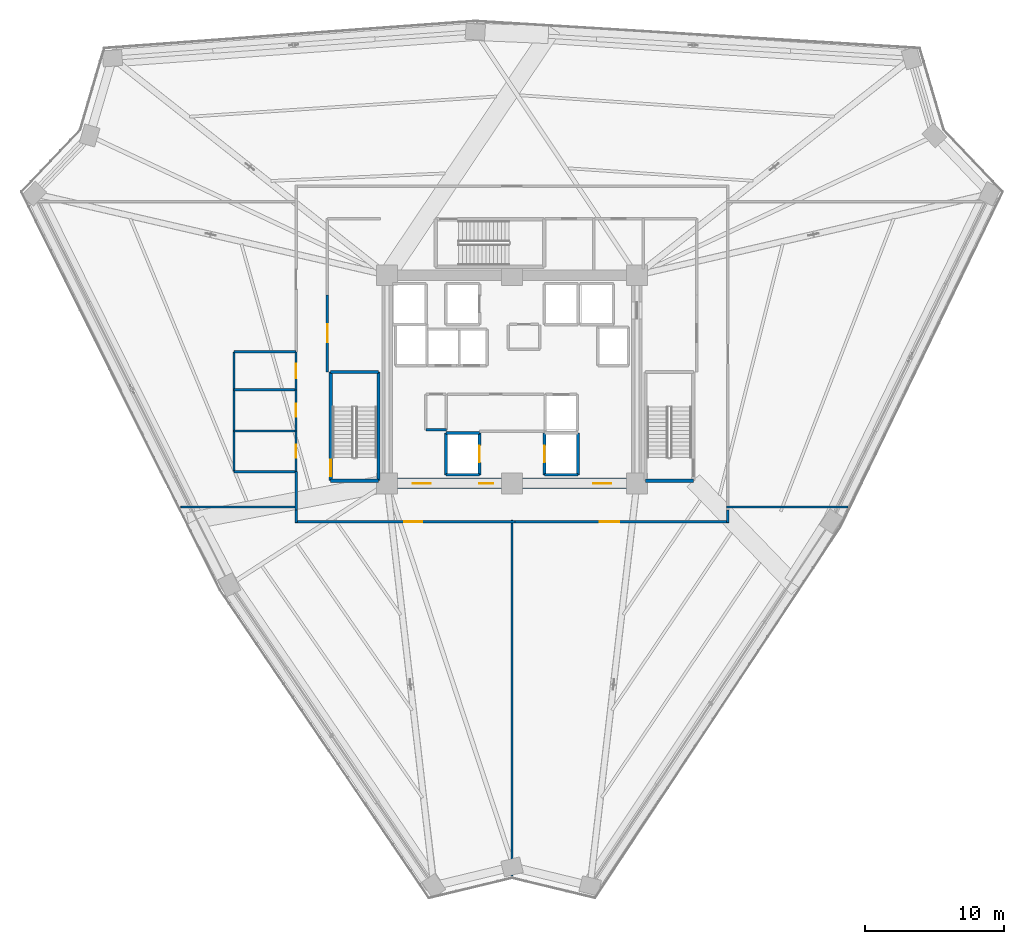
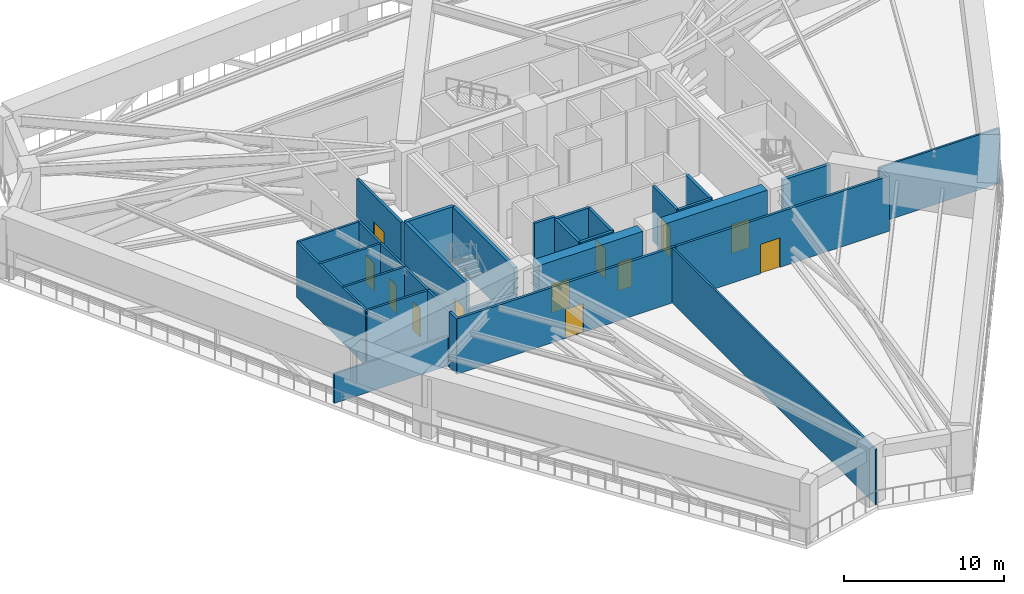
# One storey, part 16 of 27: 32 walls, 12 doors, 12 openings.
"""IFC4 building model written with IfcOpenShell, lengths in metres."""

from ifc_helpers import new_model, si_unit, direction, frame, frame_2d, origin, place, context, subcontext, project, spatial, rectangle, extrude, source, transform, mapped, material, layer, layer_set, type_object, element, fill, save


model = new_model("IFC4")

# Units and contexts
model_context = context("Model", 3, precision=1e-05, world=origin(), true_north=direction((0.0, 1.0)))
body_context = subcontext(model_context, "Body", "Model", "MODEL_VIEW")
ifc_project = project(units=[si_unit("LENGTHUNIT", "METRE"), si_unit("AREAUNIT", "SQUARE_METRE"), si_unit("VOLUMEUNIT", "CUBIC_METRE"), si_unit("PLANEANGLEUNIT", "RADIAN"), si_unit("MASSUNIT", "GRAM", prefix="KILO")], contexts=[model_context])

# Site, building, storey
site_placement = place(None, origin())
site = spatial("IfcSite", under=ifc_project, at=site_placement, CompositionType="ELEMENT")
building_placement = place(site_placement, origin())
building = spatial("IfcBuilding", under=site, at=building_placement, Name="Liaohun Quay Tower", CompositionType="ELEMENT")
storey_placement = place(building_placement, frame((0.0, 0.0, 185.25)))
storey = spatial("IfcBuildingStorey", under=building, at=storey_placement, Name="L48", CompositionType="ELEMENT", Elevation=185.25)

# Wall, opening, door
ifc_material_1 = material(Name="Concrete C60", Category="concrete")
ifc_layer_1 = layer(ifc_material_1, 0.75, Name="Concrete C60", Category="concrete")
ifc_layer_set_1 = layer_set([ifc_layer_1], Name="Concrete C60")
wall_type_1 = type_object("IfcWallType", Name="WAL-COR-Z2", PredefinedType="SHEAR", material=ifc_layer_set_1)
wall_1_placement = place(storey_placement, frame((68.25, 46.5, 0.0), z_axis=(0.0, 0.0, 1.0), x_axis=(-1.0, 0.0, 0.0)))
wall_1 = element("IfcWall", 1, at=wall_1_placement, inside=storey, type_object=wall_type_1, Name="L48 Central Core Shear Wall S-E", PredefinedType="SHEAR", context=body_context, shape_type="SweptSolid", body=[
    extrude(rectangle(XDim=7.5, YDim=0.75, at=frame_2d((3.75, 0.0))), origin(), (0.0, 0.0, 1.0), 4.219970703125),
])
shared_shape_1 = source(origin(), body_context, "Body", "SweptSolid", [
    extrude(rectangle(XDim=1.300048828125, YDim=2.199951171875, at=frame_2d((0.64990234375, 1.10009765625))), frame((0.0, 0.385009765625, 0.0), z_axis=(0.0, -1.0, 0.0), x_axis=(1.0, 0.0, 0.0)), (0.0, 0.0, 1.0), 0.77001953125),
])
opening_1_placement = place(wall_1_placement, frame((1.10009765625, 0.0, 0.0)))
opening_1 = element("IfcOpeningElement", 2, at=opening_1_placement, cuts=wall_1, Name="Opening FD1", PredefinedType="OPENING", context=body_context, shape_type="MappedRepresentation", body=[
    mapped(shared_shape_1, transform((0.0, 0.0, 0.0), x_axis=(1.0, 0.0, 0.0), y_axis=(0.0, 1.0, 0.0), z_axis=(0.0, 0.0, 1.0), scale=1.0)),
])
ifc_material_2 = material(Name="Galvanised steel smokeproof fire door", Category="steel")
door_type_1 = type_object("IfcDoorType", Name="DOR-FFL-1300", OperationType="NOTDEFINED", PredefinedType="DOOR", material=ifc_material_2)
shared_shape_2 = source(origin(), body_context, "Body", "SweptSolid", [
    extrude(rectangle(XDim=1.300048828125, YDim=2.199951171875, at=frame_2d((0.64990234375, 1.10009765625))), frame((0.0, 0.02490234375, 0.0), z_axis=(0.0, -1.0, 0.0), x_axis=(1.0, 0.0, 0.0)), (0.0, 0.0, 1.0), 0.050048828125),
])
door_1_placement = place(opening_1_placement, origin())
door_1 = element("IfcDoor", 3, at=door_1_placement, inside=storey, type_object=door_type_1, Name="L48 East Core Lift Lobby Smokeproof Door", OperationType="SINGLE_SWING_LEFT", OverallHeight=2.199951171875, OverallWidth=1.300048828125, PredefinedType="DOOR", context=body_context, shape_type="MappedRepresentation", body=[
    mapped(shared_shape_2, transform((0.0, 0.0, 0.0), x_axis=(1.0, 0.0, 0.0), y_axis=(0.0, 1.0, 0.0), z_axis=(0.0, 0.0, 1.0), scale=1.0)),
])
fill(opening_1, door_1)

# Wall, openings, doors
wall_2_placement = place(storey_placement, frame((59.25, 46.5, 0.0), z_axis=(0.0, 0.0, 1.0), x_axis=(-1.0, 0.0, 0.0)))
wall_2 = element("IfcWall", 4, at=wall_2_placement, inside=storey, type_object=wall_type_1, Name="L48 Central Core Shear Wall S-W", PredefinedType="SHEAR", context=body_context, shape_type="SweptSolid", body=[
    extrude(rectangle(XDim=7.5, YDim=0.75, at=frame_2d((3.75, 0.0))), origin(), (0.0, 0.0, 1.0), 4.219970703125),
])
opening_2_placement = place(wall_2_placement, frame((5.10009765625, 0.0, 0.0)))
opening_2 = element("IfcOpeningElement", 5, at=opening_2_placement, cuts=wall_2, Name="Opening FD1", PredefinedType="OPENING", context=body_context, shape_type="MappedRepresentation", body=[
    mapped(shared_shape_1, transform((0.0, 0.0, 0.0), x_axis=(1.0, 0.0, 0.0), y_axis=(0.0, 1.0, 0.0), z_axis=(0.0, 0.0, 1.0), scale=1.0)),
])
shared_shape_3 = source(origin(), body_context, "Body", "SweptSolid", [
    extrude(rectangle(XDim=1.0, YDim=2.199951171875, at=frame_2d((0.5, 1.10009765625))), frame((0.0, 0.385009765625, 0.0), z_axis=(0.0, -1.0, 0.0), x_axis=(1.0, 0.0, 0.0)), (0.0, 0.0, 1.0), 0.77001953125),
])
opening_3_placement = place(wall_2_placement, frame((0.60009765625, 0.0, 0.0)))
opening_3 = element("IfcOpeningElement", 6, at=opening_3_placement, cuts=wall_2, Name="Opening FD2", PredefinedType="OPENING", context=body_context, shape_type="MappedRepresentation", body=[
    mapped(shared_shape_3, transform((0.0, 0.0, 0.0), x_axis=(1.0, 0.0, 0.0), y_axis=(0.0, 1.0, 0.0), z_axis=(0.0, 0.0, 1.0), scale=1.0)),
])
door_2_placement = place(opening_2_placement, origin())
door_2 = element("IfcDoor", 7, at=door_2_placement, inside=storey, type_object=door_type_1, Name="L48 West Core Lift Lobby Smokeproof Door", OperationType="SINGLE_SWING_RIGHT", OverallHeight=2.199951171875, OverallWidth=1.300048828125, PredefinedType="DOOR", context=body_context, shape_type="MappedRepresentation", body=[
    mapped(shared_shape_2, transform((0.0, 0.0, 0.0), x_axis=(1.0, 0.0, 0.0), y_axis=(0.0, 1.0, 0.0), z_axis=(0.0, 0.0, 1.0), scale=1.0)),
])
fill(opening_2, door_2)
ifc_material_3 = material(Name="Galvanised steel smokeproof lobby fire door", Category="steel")
door_type_2 = type_object("IfcDoorType", Name="DOR-FFL-1000", OperationType="NOTDEFINED", PredefinedType="DOOR", material=ifc_material_3)
shared_shape_4 = source(origin(), body_context, "Body", "SweptSolid", [
    extrude(rectangle(XDim=1.0, YDim=2.199951171875, at=frame_2d((0.5, 1.10009765625))), frame((0.0, 0.02490234375, 0.0), z_axis=(0.0, -1.0, 0.0), x_axis=(1.0, 0.0, 0.0)), (0.0, 0.0, 1.0), 0.050048828125),
])
door_3_placement = place(opening_3_placement, origin())
door_3 = element("IfcDoor", 8, at=door_3_placement, inside=storey, type_object=door_type_2, Name="L48 South Firefighting Lobby Smokeproof Door", OperationType="SINGLE_SWING_LEFT", OverallHeight=2.199951171875, OverallWidth=1.0, PredefinedType="DOOR", context=body_context, shape_type="MappedRepresentation", body=[
    mapped(shared_shape_4, transform((0.0, 0.0, 0.0), x_axis=(1.0, 0.0, 0.0), y_axis=(0.0, 1.0, 0.0), z_axis=(0.0, 0.0, 1.0), scale=1.0)),
])
fill(opening_3, door_3)

# Wall, opening, door
ifc_material_4 = material(Name="Autoclaved aerated concrete blockwork", Category="masonry")
ifc_layer_2 = layer(ifc_material_4, 0.179931640625, Name="Autoclaved aerated concrete blockwork", Category="masonry")
ifc_layer_set_2 = layer_set([ifc_layer_2], Name="Autoclaved aerated concrete blockwork")
wall_type_2 = type_object("IfcWallType", Name="WAL-PRT-COR", PredefinedType="PARTITIONING", material=ifc_layer_set_2)
wall_3_placement = place(storey_placement, frame((46.699951171875, 54.5400390625, 0.0), z_axis=(0.0, 0.0, 1.0), x_axis=(0.0, 1.0, 0.0)))
wall_3 = element("IfcWall", 9, at=wall_3_placement, inside=storey, type_object=wall_type_2, Name="L48 Interior Partition Wall 009", PredefinedType="PARTITIONING", context=body_context, shape_type="SweptSolid", body=[
    extrude(rectangle(XDim=5.52001953125, YDim=0.179931640625, at=frame_2d((2.760009765625, 0.0))), origin(), (0.0, 0.0, 1.0), 4.219970703125),
])
shared_shape_5 = source(origin(), body_context, "Body", "SweptSolid", [
    extrude(rectangle(XDim=1.300048828125, YDim=2.199951171875, at=frame_2d((0.64990234375, 1.10009765625))), frame((0.0, 0.099853515625, 0.0), z_axis=(0.0, -1.0, 0.0), x_axis=(1.0, 0.0, 0.0)), (0.0, 0.0, 1.0), 0.199951171875),
])
opening_4_placement = place(wall_3_placement, frame((2.110107421875, 0.0, 0.0)))
opening_4 = element("IfcOpeningElement", 10, at=opening_4_placement, cuts=wall_3, Name="Opening FD1", PredefinedType="OPENING", context=body_context, shape_type="MappedRepresentation", body=[
    mapped(shared_shape_5, transform((0.0, 0.0, 0.0), x_axis=(1.0, 0.0, 0.0), y_axis=(0.0, 1.0, 0.0), z_axis=(0.0, 0.0, 1.0), scale=1.0)),
])
door_4_placement = place(opening_4_placement, origin())
door_4 = element("IfcDoor", 11, at=door_4_placement, inside=storey, type_object=door_type_1, Name="L48 West Core Vestibule Door", OperationType="SINGLE_SWING_RIGHT", OverallHeight=2.199951171875, OverallWidth=1.300048828125, PredefinedType="DOOR", context=body_context, shape_type="MappedRepresentation", body=[
    mapped(shared_shape_2, transform((0.0, 0.0, 0.0), x_axis=(1.0, 0.0, 0.0), y_axis=(0.0, 1.0, 0.0), z_axis=(0.0, 0.0, 1.0), scale=1.0)),
])
fill(opening_4, door_4)

wall_4_placement = place(storey_placement, frame((60.215087890625, 43.739990234375, 0.0), z_axis=(0.0, 0.0, 1.0), x_axis=(-1.0, 0.0, 0.0)))
wall_4 = element("IfcWall", 12, at=wall_4_placement, inside=storey, type_object=wall_type_2, Name="L48 Interior Partition Wall 014", PredefinedType="PARTITIONING", context=body_context, shape_type="SweptSolid", body=[
    extrude(rectangle(XDim=15.844970703125, YDim=0.179931640625, at=frame_2d((7.92236328125, 0.0))), origin(), (0.0, 0.0, 1.0), 4.219970703125),
])
opening_5_placement = place(wall_4_placement, frame((6.673095703125, 0.0, 0.0)))
opening_5 = element("IfcOpeningElement", 13, at=opening_5_placement, cuts=wall_4, Name="Opening FD1", PredefinedType="OPENING", context=body_context, shape_type="MappedRepresentation", body=[
    mapped(shared_shape_5, transform((0.0, 0.0, 0.0), x_axis=(1.0, 0.0, 0.0), y_axis=(0.0, 1.0, 0.0), z_axis=(0.0, 0.0, 1.0), scale=1.0)),
])
door_5_placement = place(opening_5_placement, origin())
door_5 = element("IfcDoor", 14, at=door_5_placement, inside=storey, type_object=door_type_1, Name="L48 North Open-Air Refuge Staging Area Door", OperationType="SINGLE_SWING_LEFT", OverallHeight=2.199951171875, OverallWidth=1.300048828125, PredefinedType="DOOR", context=body_context, shape_type="MappedRepresentation", body=[
    mapped(shared_shape_2, transform((0.0, 0.0, 0.0), x_axis=(1.0, 0.0, 0.0), y_axis=(0.0, 1.0, 0.0), z_axis=(0.0, 0.0, 1.0), scale=1.0)),
])
fill(opening_5, door_5)

wall_5_placement = place(storey_placement, frame((75.6298828125, 43.739990234375, 0.0), z_axis=(0.0, 0.0, 1.0), x_axis=(-1.0, 0.0, 0.0)))
wall_5 = element("IfcWall", 15, at=wall_5_placement, inside=storey, type_object=wall_type_2, Name="L48 Interior Partition Wall 015", PredefinedType="PARTITIONING", context=body_context, shape_type="SweptSolid", body=[
    extrude(rectangle(XDim=15.414794921875, YDim=0.179931640625, at=frame_2d((7.70751953125, 0.0))), origin(), (0.0, 0.0, 1.0), 4.219970703125),
])
shared_shape_6 = source(origin(), body_context, "Body", "SweptSolid", [
    extrude(rectangle(XDim=1.39990234375, YDim=2.25, at=frame_2d((0.699951171875, 1.125))), frame((0.0, 0.099853515625, 0.0), z_axis=(0.0, -1.0, 0.0), x_axis=(1.0, 0.0, 0.0)), (0.0, 0.0, 1.0), 0.199951171875),
])
opening_6_placement = place(wall_5_placement, frame((7.906982421875, 0.0, 0.0)))
opening_6 = element("IfcOpeningElement", 16, at=opening_6_placement, cuts=wall_5, Name="Opening MD1", PredefinedType="OPENING", context=body_context, shape_type="MappedRepresentation", body=[
    mapped(shared_shape_6, transform((0.0, 0.0, 0.0), x_axis=(1.0, 0.0, 0.0), y_axis=(0.0, 1.0, 0.0), z_axis=(0.0, 0.0, 1.0), scale=1.0)),
])
ifc_material_5 = material(Name="Insulated steel plant room door", Category="steel")
door_type_3 = type_object("IfcDoorType", Name="DOR-MEP-1400", OperationType="DOUBLE_DOOR_SINGLE_SWING", PredefinedType="DOOR", material=ifc_material_5)
shared_shape_7 = source(origin(), body_context, "Body", "SweptSolid", [
    extrude(rectangle(XDim=1.39990234375, YDim=2.25, at=frame_2d((0.699951171875, 1.125))), frame((0.0, 0.02490234375, 0.0), z_axis=(0.0, -1.0, 0.0), x_axis=(1.0, 0.0, 0.0)), (0.0, 0.0, 1.0), 0.050048828125),
])
door_6_placement = place(opening_6_placement, origin())
door_6 = element("IfcDoor", 17, at=door_6_placement, inside=storey, type_object=door_type_3, Name="L48 East Booster Water Pump and Tank Plant Room Door", OperationType="DOUBLE_DOOR_SINGLE_SWING", OverallHeight=2.25, OverallWidth=1.39990234375, PredefinedType="DOOR", context=body_context, shape_type="MappedRepresentation", body=[
    mapped(shared_shape_7, transform((0.0, 0.0, 0.0), x_axis=(1.0, 0.0, 0.0), y_axis=(0.0, 1.0, 0.0), z_axis=(0.0, 0.0, 1.0), scale=1.0)),
])
fill(opening_6, door_6)

# Walls
wall_6_placement = place(storey_placement, frame((53.7900390625, 50.35009765625, 0.0), z_axis=(0.0, 0.0, 1.0), x_axis=(1.0, 0.0, 0.0)))
element("IfcWall", 18, at=wall_6_placement, inside=storey, type_object=wall_type_2, Name="L48 Interior Partition Wall 020", PredefinedType="PARTITIONING", context=body_context, shape_type="SweptSolid", body=[
    extrude(rectangle(XDim=1.489990234375, YDim=0.179931640625, at=frame_2d((0.7451171875, 0.0))), origin(), (0.0, 0.0, 1.0), 4.219970703125),
])
wall_7_placement = place(storey_placement, frame((44.43994140625, 44.5849609375, 0.0), z_axis=(0.0, 0.0, 1.0), x_axis=(0.0, 1.0, 0.0)))
element("IfcWall", 19, at=wall_7_placement, inside=storey, type_object=wall_type_2, Name="L48 Interior Partition Wall 035", PredefinedType="PARTITIONING", context=body_context, shape_type="SweptSolid", body=[
    extrude(rectangle(XDim=2.755126953125, YDim=0.179931640625, at=frame_2d((1.37744140625, 0.0))), origin(), (0.0, 0.0, 1.0), 4.219970703125),
])
for number, where, z_axis, x_axis, name in (
    (20, (44.43994140625, 43.669921875, 0.0), (0.0, 0.0, 1.0), (0.0, 1.0, 0.0), "L48 Interior Partition Wall 036"),
    (21, (75.56005859375, 44.5849609375, 0.0), (0.0, 0.0, 1.0), (0.0, -1.0, 0.0), "L48 Interior Partition Wall 037"),
):
    element("IfcWall", number, at=place(storey_placement, frame(where, z_axis=z_axis, x_axis=x_axis)), inside=storey, type_object=wall_type_2, Name=name, PredefinedType="PARTITIONING", context=body_context, shape_type="SweptSolid", body=[
        extrude(rectangle(XDim=0.9150390625, YDim=0.179931640625, at=frame_2d((0.45751953125, 0.0))), origin(), (0.0, 0.0, 1.0), 4.219970703125),
    ])
ifc_material_6 = material(Name="Gypsum board on twin steel studs", Category="steel")
ifc_layer_3 = layer(ifc_material_6, 0.139892578125, Name="Gypsum board on twin steel studs", Category="steel")
ifc_layer_set_3 = layer_set([ifc_layer_3], Name="Gypsum board on twin steel studs")
wall_type_3 = type_object("IfcWallType", Name="WAL-PRT-OFF", PredefinedType="PARTITIONING", material=ifc_layer_set_3)
wall_8_placement = place(storey_placement, frame((44.5400390625, 44.800048828125, 0.0), z_axis=(0.0, 0.0, 1.0), x_axis=(-1.0, 0.0, 0.0)))
element("IfcWall", 22, at=wall_8_placement, inside=storey, type_object=wall_type_3, Name="L48 Interior Partition Wall 038", PredefinedType="PARTITIONING", context=body_context, shape_type="SweptSolid", body=[
    extrude(rectangle(XDim=8.400146484375, YDim=0.139892578125, at=frame_2d((4.2001953125, 0.0))), origin(), (0.0, 0.0, 1.0), 2.260009765625),
])
wall_9_placement = place(storey_placement, frame((75.4599609375, 44.800048828125, 0.0), z_axis=(0.0, 0.0, 1.0), x_axis=(1.0, 0.0, 0.0)))
element("IfcWall", 23, at=wall_9_placement, inside=storey, type_object=wall_type_3, Name="L48 Interior Partition Wall 039", PredefinedType="PARTITIONING", context=body_context, shape_type="SweptSolid", body=[
    extrude(rectangle(XDim=8.739013671875, YDim=0.139892578125, at=frame_2d((4.36962890625, 0.0))), origin(), (0.0, 0.0, 1.0), 4.219970703125),
])
wall_10_placement = place(storey_placement, frame((60.0, 43.840087890625, 0.0), z_axis=(0.0, 0.0, 1.0), x_axis=(0.0, -1.0, 0.0)))
element("IfcWall", 24, at=wall_10_placement, inside=storey, type_object=wall_type_3, Name="L48 Interior Partition Wall 042", PredefinedType="PARTITIONING", context=body_context, shape_type="SweptSolid", body=[
    extrude(rectangle(XDim=25.6220703125, YDim=0.139892578125, at=frame_2d((12.81103515625, 0.0))), origin(), (0.0, 0.0, 1.0), 4.219970703125),
])

# Wall, opening, door
ifc_material_7 = material(Name="Moisture-resistant masonry blockwork", Category="masonry")
ifc_layer_4 = layer(ifc_material_7, 0.159912109375, Name="Moisture-resistant masonry blockwork", Category="masonry")
ifc_layer_set_4 = layer_set([ifc_layer_4], Name="Moisture-resistant masonry blockwork")
wall_type_4 = type_object("IfcWallType", Name="WAL-PRT-WET", PredefinedType="PARTITIONING", material=ifc_layer_set_4)
wall_11_placement = place(storey_placement, frame((44.43994140625, 47.340087890625, 0.0), z_axis=(0.0, 0.0, 1.0), x_axis=(0.0, 1.0, 0.0)))
wall_11 = element("IfcWall", 25, at=wall_11_placement, inside=storey, type_object=wall_type_4, Name="L48 Interior Partition Wall 004", PredefinedType="PARTITIONING", context=body_context, shape_type="SweptSolid", body=[
    extrude(rectangle(XDim=2.93994140625, YDim=0.159912109375, at=frame_2d((1.469970703125, 0.0))), origin(), (0.0, 0.0, 1.0), 4.219970703125),
])
shared_shape_8 = source(origin(), body_context, "Body", "SweptSolid", [
    extrude(rectangle(XDim=0.949951171875, YDim=2.14990234375, at=frame_2d((0.47509765625, 1.074951171875))), frame((0.0, 0.08984375, 0.0), z_axis=(0.0, -1.0, 0.0), x_axis=(1.0, 0.0, 0.0)), (0.0, 0.0, 1.0), 0.179931640625),
])
opening_7_placement = place(wall_11_placement, frame((0.9951171875, 0.0, 0.0)))
opening_7 = element("IfcOpeningElement", 26, at=opening_7_placement, cuts=wall_11, Name="Opening WD1", PredefinedType="OPENING", context=body_context, shape_type="MappedRepresentation", body=[
    mapped(shared_shape_8, transform((0.0, 0.0, 0.0), x_axis=(1.0, 0.0, 0.0), y_axis=(0.0, 1.0, 0.0), z_axis=(0.0, 0.0, 1.0), scale=1.0)),
])
ifc_material_8 = material(Name="Moisture-resistant laminate timber leaf", Category="wood")
door_type_4 = type_object("IfcDoorType", Name="DOR-WC-950", OperationType="NOTDEFINED", PredefinedType="DOOR", material=ifc_material_8)
shared_shape_9 = source(origin(), body_context, "Body", "SweptSolid", [
    extrude(rectangle(XDim=0.949951171875, YDim=2.14990234375, at=frame_2d((0.47509765625, 1.074951171875))), frame((0.0, 0.02490234375, 0.0), z_axis=(0.0, -1.0, 0.0), x_axis=(1.0, 0.0, 0.0)), (0.0, 0.0, 1.0), 0.050048828125),
])
door_7_placement = place(opening_7_placement, origin())
door_7 = element("IfcDoor", 27, at=door_7_placement, inside=storey, type_object=door_type_4, Name="L48 Male Restroom WC Door", OperationType="SINGLE_SWING_LEFT", OverallHeight=2.14990234375, OverallWidth=0.949951171875, PredefinedType="DOOR", context=body_context, shape_type="MappedRepresentation", body=[
    mapped(shared_shape_9, transform((0.0, 0.0, 0.0), x_axis=(1.0, 0.0, 0.0), y_axis=(0.0, 1.0, 0.0), z_axis=(0.0, 0.0, 1.0), scale=1.0)),
])
fill(opening_7, door_7)

wall_12_placement = place(storey_placement, frame((44.43994140625, 50.280029296875, 0.0), z_axis=(0.0, 0.0, 1.0), x_axis=(0.0, 1.0, 0.0)))
wall_12 = element("IfcWall", 28, at=wall_12_placement, inside=storey, type_object=wall_type_4, Name="L48 Interior Partition Wall 005", PredefinedType="PARTITIONING", context=body_context, shape_type="SweptSolid", body=[
    extrude(rectangle(XDim=2.9599609375, YDim=0.159912109375, at=frame_2d((1.47998046875, 0.0))), origin(), (0.0, 0.0, 1.0), 4.219970703125),
])
opening_8_placement = place(wall_12_placement, frame((1.0048828125, 0.0, 0.0)))
opening_8 = element("IfcOpeningElement", 29, at=opening_8_placement, cuts=wall_12, Name="Opening WD1", PredefinedType="OPENING", context=body_context, shape_type="MappedRepresentation", body=[
    mapped(shared_shape_8, transform((0.0, 0.0, 0.0), x_axis=(1.0, 0.0, 0.0), y_axis=(0.0, 1.0, 0.0), z_axis=(0.0, 0.0, 1.0), scale=1.0)),
])
door_8_placement = place(opening_8_placement, origin())
door_8 = element("IfcDoor", 30, at=door_8_placement, inside=storey, type_object=door_type_4, Name="L48 Female Restroom WC Door", OperationType="SINGLE_SWING_RIGHT", OverallHeight=2.14990234375, OverallWidth=0.949951171875, PredefinedType="DOOR", context=body_context, shape_type="MappedRepresentation", body=[
    mapped(shared_shape_9, transform((0.0, 0.0, 0.0), x_axis=(1.0, 0.0, 0.0), y_axis=(0.0, 1.0, 0.0), z_axis=(0.0, 0.0, 1.0), scale=1.0)),
])
fill(opening_8, door_8)

wall_13_placement = place(storey_placement, frame((44.43994140625, 53.239990234375, 0.0), z_axis=(0.0, 0.0, 1.0), x_axis=(0.0, 1.0, 0.0)))
wall_13 = element("IfcWall", 31, at=wall_13_placement, inside=storey, type_object=wall_type_4, Name="L48 Interior Partition Wall 006", PredefinedType="PARTITIONING", context=body_context, shape_type="SweptSolid", body=[
    extrude(rectangle(XDim=2.739990234375, YDim=0.159912109375, at=frame_2d((1.3701171875, 0.0))), origin(), (0.0, 0.0, 1.0), 4.219970703125),
])
shared_shape_10 = source(origin(), body_context, "Body", "SweptSolid", [
    extrude(rectangle(XDim=1.050048828125, YDim=2.14990234375, at=frame_2d((0.52490234375, 1.074951171875))), frame((0.0, 0.08984375, 0.0), z_axis=(0.0, -1.0, 0.0), x_axis=(1.0, 0.0, 0.0)), (0.0, 0.0, 1.0), 0.179931640625),
])
opening_9_placement = place(wall_13_placement, frame((0.844970703125, 0.0, 0.0)))
opening_9 = element("IfcOpeningElement", 32, at=opening_9_placement, cuts=wall_13, Name="Opening WD2", PredefinedType="OPENING", context=body_context, shape_type="MappedRepresentation", body=[
    mapped(shared_shape_10, transform((0.0, 0.0, 0.0), x_axis=(1.0, 0.0, 0.0), y_axis=(0.0, 1.0, 0.0), z_axis=(0.0, 0.0, 1.0), scale=1.0)),
])
ifc_material_9 = material(Name="Accessible outward-swinging laminate door")
door_type_5 = type_object("IfcDoorType", Name="DOR-AWC-1050", OperationType="NOTDEFINED", PredefinedType="DOOR", material=ifc_material_9)
shared_shape_11 = source(origin(), body_context, "Body", "SweptSolid", [
    extrude(rectangle(XDim=1.050048828125, YDim=2.14990234375, at=frame_2d((0.52490234375, 1.074951171875))), frame((0.0, 0.02490234375, 0.0), z_axis=(0.0, -1.0, 0.0), x_axis=(1.0, 0.0, 0.0)), (0.0, 0.0, 1.0), 0.050048828125),
])
door_9_placement = place(opening_9_placement, origin())
door_9 = element("IfcDoor", 33, at=door_9_placement, inside=storey, type_object=door_type_5, Name="L48 Accessible WC Door", OperationType="SINGLE_SWING_LEFT", OverallHeight=2.14990234375, OverallWidth=1.050048828125, PredefinedType="DOOR", context=body_context, shape_type="MappedRepresentation", body=[
    mapped(shared_shape_11, transform((0.0, 0.0, 0.0), x_axis=(1.0, 0.0, 0.0), y_axis=(0.0, 1.0, 0.0), z_axis=(0.0, 0.0, 1.0), scale=1.0)),
])
fill(opening_9, door_9)

# Walls
wall_14_placement = place(storey_placement, frame((39.97998046875, 47.340087890625, 0.0), z_axis=(0.0, 0.0, 1.0), x_axis=(0.0, 1.0, 0.0)))
element("IfcWall", 34, at=wall_14_placement, inside=storey, type_object=wall_type_4, Name="L48 Interior Partition Wall 022", PredefinedType="PARTITIONING", context=body_context, shape_type="SweptSolid", body=[
    extrude(rectangle(XDim=8.639892578125, YDim=0.159912109375, at=frame_2d((4.31982421875, 0.0))), origin(), (0.0, 0.0, 1.0), 4.219970703125),
])
for number, where, z_axis, x_axis, name in (
    (35, (39.97998046875, 47.340087890625, 0.0), (0.0, 0.0, 1.0), (1.0, 0.0, 0.0), "L48 Interior Partition Wall 023"),
    (36, (39.97998046875, 50.280029296875, 0.0), (0.0, 0.0, 1.0), (1.0, 0.0, 0.0), "L48 Interior Partition Wall 024"),
    (37, (39.97998046875, 53.239990234375, 0.0), (0.0, 0.0, 1.0), (1.0, 0.0, 0.0), "L48 Interior Partition Wall 025"),
    (38, (39.97998046875, 55.97998046875, 0.0), (0.0, 0.0, 1.0), (1.0, 0.0, 0.0), "L48 Interior Partition Wall 026"),
):
    element("IfcWall", number, at=place(storey_placement, frame(where, z_axis=z_axis, x_axis=x_axis)), inside=storey, type_object=wall_type_4, Name=name, PredefinedType="PARTITIONING", context=body_context, shape_type="SweptSolid", body=[
        extrude(rectangle(XDim=4.4599609375, YDim=0.159912109375, at=frame_2d((2.22998046875, 0.0))), origin(), (0.0, 0.0, 1.0), 4.219970703125),
    ])
ifc_material_10 = material(Name="Concrete C50", Category="concrete")
ifc_layer_5 = layer(ifc_material_10, 0.239990234375, Name="Concrete C50", Category="concrete")
ifc_layer_set_5 = layer_set([ifc_layer_5], Name="Concrete C50")
wall_type_5 = type_object("IfcWallType", Name="WAL-SHF-200", PredefinedType="SOLIDWALL", material=ifc_layer_set_5)
wall_15_placement = place(storey_placement, frame((46.93994140625, 46.699951171875, 0.0), z_axis=(0.0, 0.0, 1.0), x_axis=(1.0, 0.0, 0.0)))
element("IfcWall", 39, at=wall_15_placement, inside=storey, type_object=wall_type_5, Name="L48 Stairwell ST-1 Structural Core Wall S", PredefinedType="SOLIDWALL", context=body_context, shape_type="SweptSolid", body=[
    extrude(rectangle(XDim=3.43994140625, YDim=0.239990234375, at=frame_2d((1.719970703125, 0.0))), origin(), (0.0, 0.0, 1.0), 2.260009765625),
])
wall_16_placement = place(storey_placement, frame((50.3798828125, 46.699951171875, 0.0), z_axis=(0.0, 0.0, 1.0), x_axis=(0.0, 1.0, 0.0)))
element("IfcWall", 40, at=wall_16_placement, inside=storey, type_object=wall_type_5, Name="L48 Stairwell ST-1 Structural Core Wall E", PredefinedType="SOLIDWALL", context=body_context, shape_type="SweptSolid", body=[
    extrude(rectangle(XDim=7.820068359375, YDim=0.239990234375, at=frame_2d((3.91015625, 0.0))), origin(), (0.0, 0.0, 1.0), 4.219970703125),
])
wall_17_placement = place(storey_placement, frame((50.3798828125, 54.52001953125, 0.0), z_axis=(0.0, 0.0, 1.0), x_axis=(-1.0, 0.0, 0.0)))
element("IfcWall", 41, at=wall_17_placement, inside=storey, type_object=wall_type_5, Name="L48 Stairwell ST-1 Structural Core Wall N", PredefinedType="SOLIDWALL", context=body_context, shape_type="SweptSolid", body=[
    extrude(rectangle(XDim=3.43994140625, YDim=0.239990234375, at=frame_2d((1.719970703125, 0.0))), origin(), (0.0, 0.0, 1.0), 4.219970703125),
])

# Wall, opening, door
wall_18_placement = place(storey_placement, frame((46.93994140625, 54.52001953125, 0.0), z_axis=(0.0, 0.0, 1.0), x_axis=(0.0, -1.0, 0.0)))
wall_18 = element("IfcWall", 42, at=wall_18_placement, inside=storey, type_object=wall_type_5, Name="L48 Stairwell ST-1 Structural Core Wall W", PredefinedType="SOLIDWALL", context=body_context, shape_type="SweptSolid", body=[
    extrude(rectangle(XDim=7.820068359375, YDim=0.239990234375, at=frame_2d((3.91015625, 0.0))), origin(), (0.0, 0.0, 1.0), 4.219970703125),
])
shared_shape_12 = source(origin(), body_context, "Body", "SweptSolid", [
    extrude(rectangle(XDim=1.199951171875, YDim=2.199951171875, at=frame_2d((0.60009765625, 1.10009765625))), frame((0.0, 0.1298828125, 0.0), z_axis=(0.0, -1.0, 0.0), x_axis=(1.0, 0.0, 0.0)), (0.0, 0.0, 1.0), 0.260009765625),
])
opening_10_placement = place(wall_18_placement, frame((6.300048828125, 0.0, 0.0)))
opening_10 = element("IfcOpeningElement", 43, at=opening_10_placement, cuts=wall_18, Name="Opening SD1", PredefinedType="OPENING", context=body_context, shape_type="MappedRepresentation", body=[
    mapped(shared_shape_12, transform((0.0, 0.0, 0.0), x_axis=(1.0, 0.0, 0.0), y_axis=(0.0, 1.0, 0.0), z_axis=(0.0, 0.0, 1.0), scale=1.0)),
])
ifc_material_11 = material(Name="Galvanised steel fire door", Category="steel")
door_type_6 = type_object("IfcDoorType", Name="DOR-STR-1200", OperationType="NOTDEFINED", PredefinedType="DOOR", material=ifc_material_11)
shared_shape_13 = source(origin(), body_context, "Body", "SweptSolid", [
    extrude(rectangle(XDim=1.199951171875, YDim=2.199951171875, at=frame_2d((0.60009765625, 1.10009765625))), frame((0.0, 0.02490234375, 0.0), z_axis=(0.0, -1.0, 0.0), x_axis=(1.0, 0.0, 0.0)), (0.0, 0.0, 1.0), 0.050048828125),
])
door_10_placement = place(opening_10_placement, origin())
door_10 = element("IfcDoor", 44, at=door_10_placement, inside=storey, type_object=door_type_6, Name="L48 Protected Stair ST-1 Fire Door", OperationType="SINGLE_SWING_LEFT", OverallHeight=2.199951171875, OverallWidth=1.199951171875, PredefinedType="DOOR", context=body_context, shape_type="MappedRepresentation", body=[
    mapped(shared_shape_13, transform((0.0, 0.0, 0.0), x_axis=(1.0, 0.0, 0.0), y_axis=(0.0, 1.0, 0.0), z_axis=(0.0, 0.0, 1.0), scale=1.0)),
])
fill(opening_10, door_10)

# Walls
wall_19_placement = place(storey_placement, frame((69.6201171875, 46.699951171875, 0.0), z_axis=(0.0, 0.0, 1.0), x_axis=(1.0, 0.0, 0.0)))
element("IfcWall", 45, at=wall_19_placement, inside=storey, type_object=wall_type_5, Name="L48 Stairwell ST-2 Structural Core Wall S", PredefinedType="SOLIDWALL", context=body_context, shape_type="SweptSolid", body=[
    extrude(rectangle(XDim=3.43994140625, YDim=0.239990234375, at=frame_2d((1.719970703125, 0.0))), origin(), (0.0, 0.0, 1.0), 4.219970703125),
])
wall_20_placement = place(storey_placement, frame((55.25, 47.1201171875, 0.0), z_axis=(0.0, 0.0, 1.0), x_axis=(1.0, 0.0, 0.0)))
element("IfcWall", 46, at=wall_20_placement, inside=storey, type_object=wall_type_5, Name="L48 Lift FF-01 Hoistway Wall S", PredefinedType="SOLIDWALL", context=body_context, shape_type="SweptSolid", body=[
    extrude(rectangle(XDim=2.39990234375, YDim=0.199951171875, at=frame_2d((1.199951171875, 0.0))), origin(), (0.0, 0.0, 1.0), 4.219970703125),
])

# Wall, opening, door
wall_21_placement = place(storey_placement, frame((57.64990234375, 47.1201171875, 0.0), z_axis=(0.0, 0.0, 1.0), x_axis=(0.0, 1.0, 0.0)))
wall_21 = element("IfcWall", 47, at=wall_21_placement, inside=storey, type_object=wall_type_5, Name="L48 Lift FF-01 Hoistway Wall E", PredefinedType="SOLIDWALL", context=body_context, shape_type="SweptSolid", body=[
    extrude(rectangle(XDim=3.0, YDim=0.199951171875, at=frame_2d((1.5, 0.0))), origin(), (0.0, 0.0, 1.0), 4.219970703125),
])
shared_shape_14 = source(origin(), body_context, "Body", "SweptSolid", [
    extrude(rectangle(XDim=1.199951171875, YDim=2.300048828125, at=frame_2d((0.60009765625, 1.14990234375))), frame((0.0, 0.10986328125, 0.0), z_axis=(0.0, -1.0, 0.0), x_axis=(1.0, 0.0, 0.0)), (0.0, 0.0, 1.0), 0.219970703125),
])
opening_11_placement = place(wall_21_placement, frame((0.89990234375, 0.0, 0.0)))
opening_11 = element("IfcOpeningElement", 48, at=opening_11_placement, cuts=wall_21, Name="Opening LD2", PredefinedType="OPENING", context=body_context, shape_type="MappedRepresentation", body=[
    mapped(shared_shape_14, transform((0.0, 0.0, 0.0), x_axis=(1.0, 0.0, 0.0), y_axis=(0.0, 1.0, 0.0), z_axis=(0.0, 0.0, 1.0), scale=1.0)),
])
ifc_material_12 = material(Name="Brushed stainless steel stretcher landing door", Category="steel")
door_type_7 = type_object("IfcDoorType", Name="DOR-LFT-1200", OperationType="SLIDING_TO_LEFT", PredefinedType="DOOR", material=ifc_material_12)
shared_shape_15 = source(origin(), body_context, "Body", "SweptSolid", [
    extrude(rectangle(XDim=1.199951171875, YDim=2.300048828125, at=frame_2d((0.60009765625, 1.14990234375))), frame((0.0, 0.02490234375, 0.0), z_axis=(0.0, -1.0, 0.0), x_axis=(1.0, 0.0, 0.0)), (0.0, 0.0, 1.0), 0.050048828125),
])
door_11_placement = place(opening_11_placement, origin())
door_11 = element("IfcDoor", 49, at=door_11_placement, inside=storey, type_object=door_type_7, Name="L48 Lift FF-01 Sliding Landing Door", OperationType="SLIDING_TO_LEFT", OverallHeight=2.300048828125, OverallWidth=1.199951171875, PredefinedType="DOOR", context=body_context, shape_type="MappedRepresentation", body=[
    mapped(shared_shape_15, transform((0.0, 0.0, 0.0), x_axis=(1.0, 0.0, 0.0), y_axis=(0.0, 1.0, 0.0), z_axis=(0.0, 0.0, 1.0), scale=1.0)),
])
fill(opening_11, door_11)

# Walls
wall_22_placement = place(storey_placement, frame((57.64990234375, 50.1201171875, 0.0), z_axis=(0.0, 0.0, 1.0), x_axis=(-1.0, 0.0, 0.0)))
element("IfcWall", 50, at=wall_22_placement, inside=storey, type_object=wall_type_5, Name="L48 Lift FF-01 Hoistway Wall N", PredefinedType="SOLIDWALL", context=body_context, shape_type="SweptSolid", body=[
    extrude(rectangle(XDim=2.39990234375, YDim=0.199951171875, at=frame_2d((1.199951171875, 0.0))), origin(), (0.0, 0.0, 1.0), 4.219970703125),
])
wall_23_placement = place(storey_placement, frame((55.25, 50.1201171875, 0.0), z_axis=(0.0, 0.0, 1.0), x_axis=(0.0, -1.0, 0.0)))
element("IfcWall", 51, at=wall_23_placement, inside=storey, type_object=wall_type_5, Name="L48 Lift FF-01 Hoistway Wall W", PredefinedType="SOLIDWALL", context=body_context, shape_type="SweptSolid", body=[
    extrude(rectangle(XDim=3.0, YDim=0.199951171875, at=frame_2d((1.5, 0.0))), origin(), (0.0, 0.0, 1.0), 4.219970703125),
])
wall_24_placement = place(storey_placement, frame((62.35009765625, 47.1201171875, 0.0), z_axis=(0.0, 0.0, 1.0), x_axis=(1.0, 0.0, 0.0)))
element("IfcWall", 52, at=wall_24_placement, inside=storey, type_object=wall_type_5, Name="L48 Lift FF-02 Hoistway Wall S", PredefinedType="SOLIDWALL", context=body_context, shape_type="SweptSolid", body=[
    extrude(rectangle(XDim=2.39990234375, YDim=0.199951171875, at=frame_2d((1.199951171875, 0.0))), origin(), (0.0, 0.0, 1.0), 4.219970703125),
])
wall_25_placement = place(storey_placement, frame((64.75, 47.1201171875, 0.0), z_axis=(0.0, 0.0, 1.0), x_axis=(0.0, 1.0, 0.0)))
element("IfcWall", 53, at=wall_25_placement, inside=storey, type_object=wall_type_5, Name="L48 Lift FF-02 Hoistway Wall E", PredefinedType="SOLIDWALL", context=body_context, shape_type="SweptSolid", body=[
    extrude(rectangle(XDim=3.0, YDim=0.199951171875, at=frame_2d((1.5, 0.0))), origin(), (0.0, 0.0, 1.0), 4.219970703125),
])

# Wall, opening, door
wall_26_placement = place(storey_placement, frame((62.35009765625, 50.1201171875, 0.0), z_axis=(0.0, 0.0, 1.0), x_axis=(0.0, -1.0, 0.0)))
wall_26 = element("IfcWall", 54, at=wall_26_placement, inside=storey, type_object=wall_type_5, Name="L48 Lift FF-02 Hoistway Wall W", PredefinedType="SOLIDWALL", context=body_context, shape_type="SweptSolid", body=[
    extrude(rectangle(XDim=3.0, YDim=0.199951171875, at=frame_2d((1.5, 0.0))), origin(), (0.0, 0.0, 1.0), 4.219970703125),
])
opening_12_placement = place(wall_26_placement, frame((0.89990234375, 0.0, 0.0)))
opening_12 = element("IfcOpeningElement", 55, at=opening_12_placement, cuts=wall_26, Name="Opening LD2", PredefinedType="OPENING", context=body_context, shape_type="MappedRepresentation", body=[
    mapped(shared_shape_14, transform((0.0, 0.0, 0.0), x_axis=(1.0, 0.0, 0.0), y_axis=(0.0, 1.0, 0.0), z_axis=(0.0, 0.0, 1.0), scale=1.0)),
])
door_12_placement = place(opening_12_placement, origin())
door_12 = element("IfcDoor", 56, at=door_12_placement, inside=storey, type_object=door_type_7, Name="L48 Lift FF-02 Sliding Landing Door", OperationType="SLIDING_TO_LEFT", OverallHeight=2.300048828125, OverallWidth=1.199951171875, PredefinedType="DOOR", context=body_context, shape_type="MappedRepresentation", body=[
    mapped(shared_shape_15, transform((0.0, 0.0, 0.0), x_axis=(1.0, 0.0, 0.0), y_axis=(0.0, 1.0, 0.0), z_axis=(0.0, 0.0, 1.0), scale=1.0)),
])
fill(opening_12, door_12)

save(model, "model.ifc")
